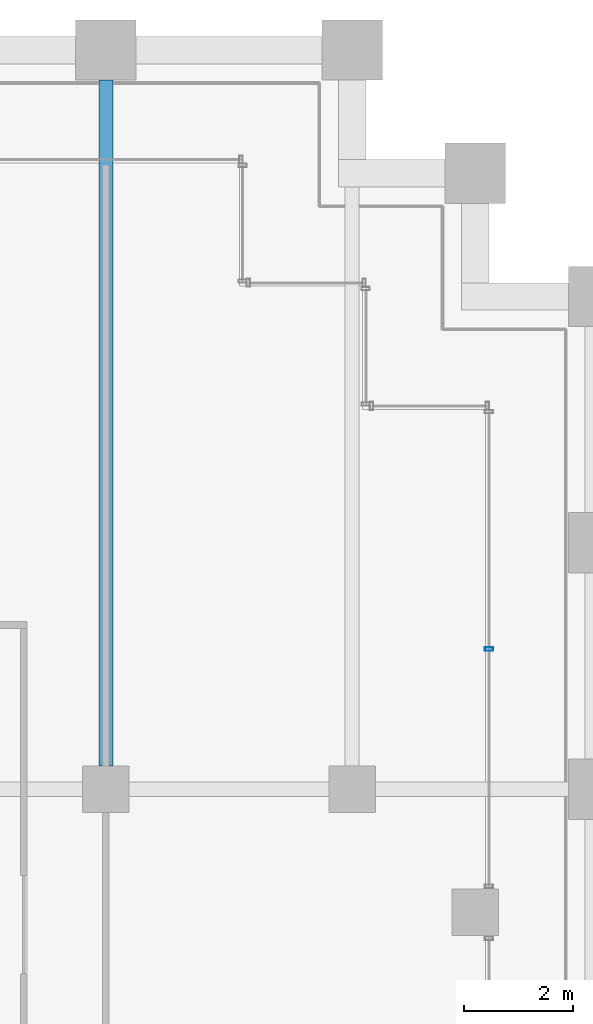
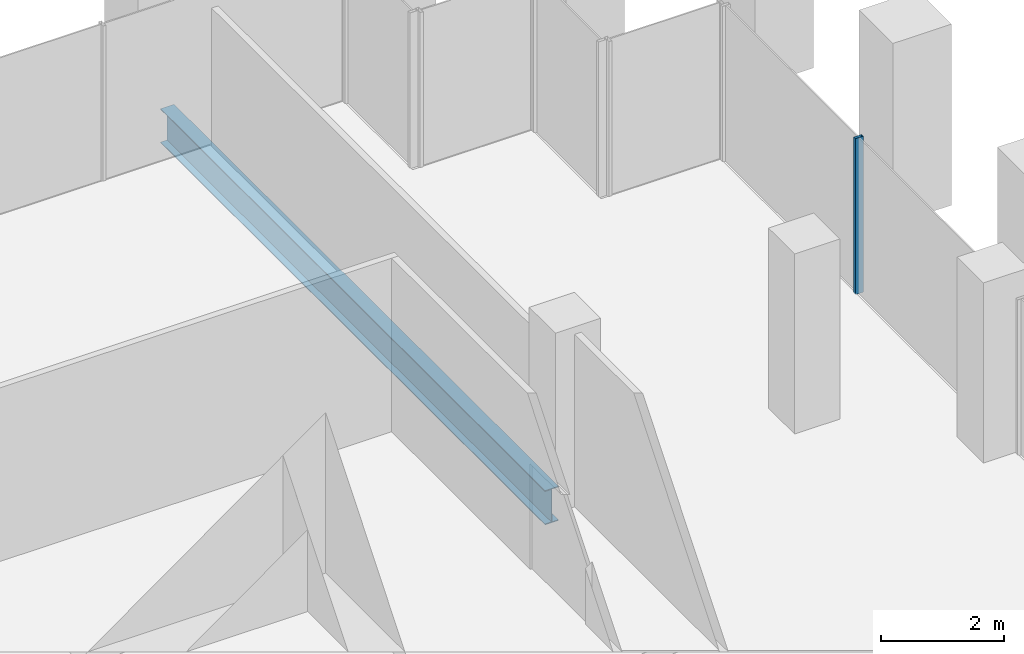
# One storey, part 30 of 54: 1 beam, 1 member, 1 element without a shape of its own.
"""IFC4 building model written with IfcOpenShell, lengths in metres."""

from ifc_helpers import new_model, si_unit, direction, frame, origin, origin_2d, place, context, subcontext, project, spatial, hollow_rectangle, i_section, extrude, material, material_profile, profile_set, type_object, element, aggregate, save


model = new_model("IFC4")

# Units and contexts
model_context = context("Model", 3, precision=1e-05, world=origin(), true_north=direction((0.0, 1.0)))
body_context = subcontext(model_context, "Body", "Model", "MODEL_VIEW")
ifc_project = project(units=[si_unit("LENGTHUNIT", "METRE"), si_unit("AREAUNIT", "SQUARE_METRE"), si_unit("VOLUMEUNIT", "CUBIC_METRE"), si_unit("PLANEANGLEUNIT", "RADIAN"), si_unit("MASSUNIT", "GRAM", prefix="KILO")], contexts=[model_context])

# Site, building, storey
site_placement = place(None, origin())
site = spatial("IfcSite", under=ifc_project, at=site_placement, CompositionType="ELEMENT")
building_placement = place(site_placement, origin())
building = spatial("IfcBuilding", under=site, at=building_placement, Name="Altepetl Exchange Towers", CompositionType="ELEMENT")
storey_placement = place(building_placement, frame((0.0, 0.0, 58.199951171875)))
storey = spatial("IfcBuildingStorey", under=building, at=storey_placement, Name="L13", CompositionType="ELEMENT", Elevation=58.199951171875)

# Beam
ifc_material_1 = material(Name="Steel S355", Category="steel")
ifc_material_profile_1 = material_profile(ifc_material_1, i_section(OverallWidth=0.25390625, OverallDepth=0.68408203125, WebThickness=0.012451171875, FlangeThickness=0.018798828125, at=origin_2d()), Name="W27X94")
ifc_profile_set_1 = profile_set([ifc_material_profile_1], Name="Steel S355")
beam_type = type_object("IfcBeamType", Name="Floor beam W27X94", PredefinedType="BEAM", material=ifc_profile_set_1)
beam_placement = place(storey_placement, frame((63.0, 58.925048828125, -0.491943359375), z_axis=(0.0, 1.0, 0.0), x_axis=(-1.0, 0.0, 0.0)))
element("IfcBeam", 1, at=beam_placement, inside=storey, type_object=beam_type, Name="bm:A:L13:004", PredefinedType="BEAM", context=body_context, shape_type="SweptSolid", body=[
    extrude(i_section(OverallWidth=0.25390625, OverallDepth=0.68408203125, WebThickness=0.012451171875, FlangeThickness=0.018798828125, at=origin_2d()), origin(), (0.0, 0.0, 1.0), 12.52490234375),
])

# Curtain wall, member
ifc_material_2 = material(Name="Aluminium 6063-T6 glazing", Category="aluminium")
curtain_wall_type = type_object("IfcCurtainWallType", Name="Loggia glazing system", PredefinedType="NOTDEFINED", material=ifc_material_2)
curtain_wall_placement = place(storey_placement, origin())
curtain_wall = element("IfcCurtainWall", 2, at=curtain_wall_placement, inside=storey, type_object=curtain_wall_type, Name="CW1 run", PredefinedType="NOTDEFINED")
ifc_material_3 = material(Name="Aluminium 6063-T6", Category="aluminium")
ifc_material_profile_2 = material_profile(ifc_material_3, hollow_rectangle(XDim=0.06005859375, YDim=0.14990234375, WallThickness=0.0029296875, at=origin_2d()), Name="Mullion 60x150 aluminium")
ifc_profile_set_2 = profile_set([ifc_material_profile_2], Name="Aluminium 6063-T6")
member_type = type_object("IfcMemberType", Name="Mullion 60x150 aluminium", PredefinedType="MULLION", material=ifc_profile_set_2)
member_placement = place(storey_placement, frame((70.0, 61.06005859375, 0.0), z_axis=(0.0, 0.0, 1.0), x_axis=(0.0, 1.0, 0.0)))
member = element("IfcMember", 3, at=member_placement, type_object=member_type, Name="MU1 mullion", PredefinedType="MULLION", context=body_context, shape_type="SweptSolid", body=[
    extrude(hollow_rectangle(XDim=0.06005859375, YDim=0.14990234375, WallThickness=0.0029296875, at=origin_2d()), origin(), (0.0, 0.0, 1.0), 3.10009765625),
])
aggregate(curtain_wall, [member])

save(model, "model.ifc")
